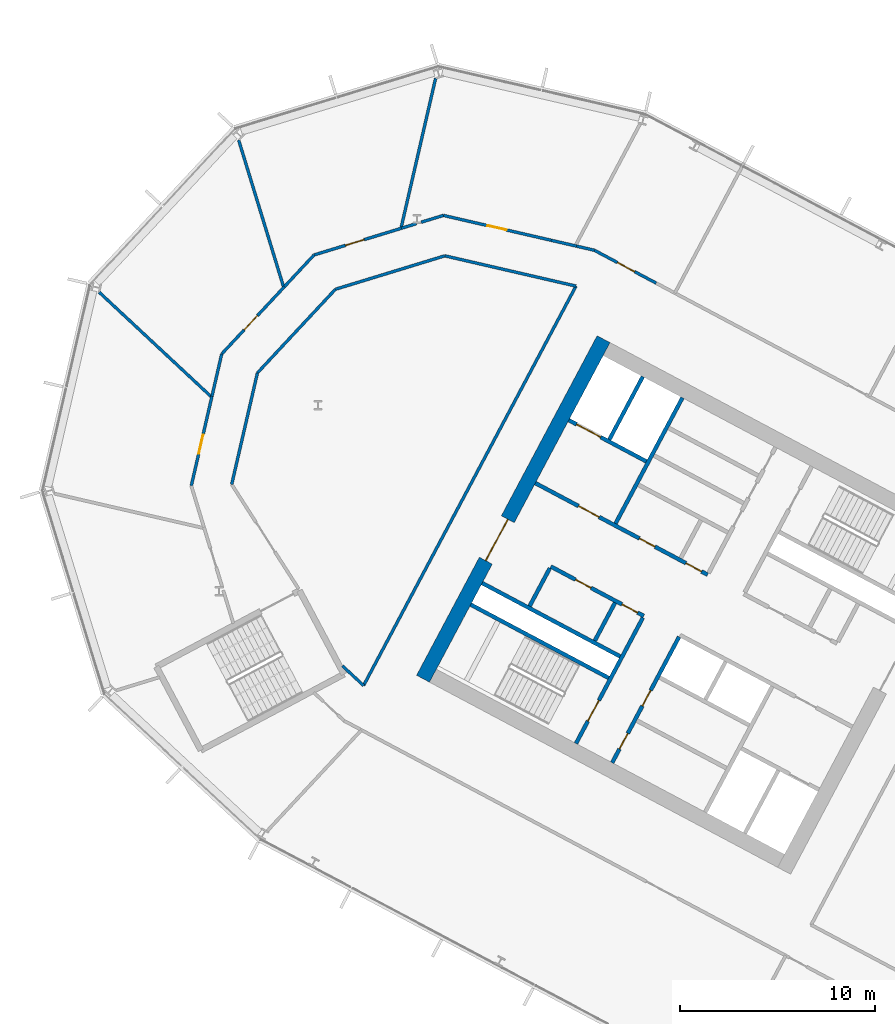
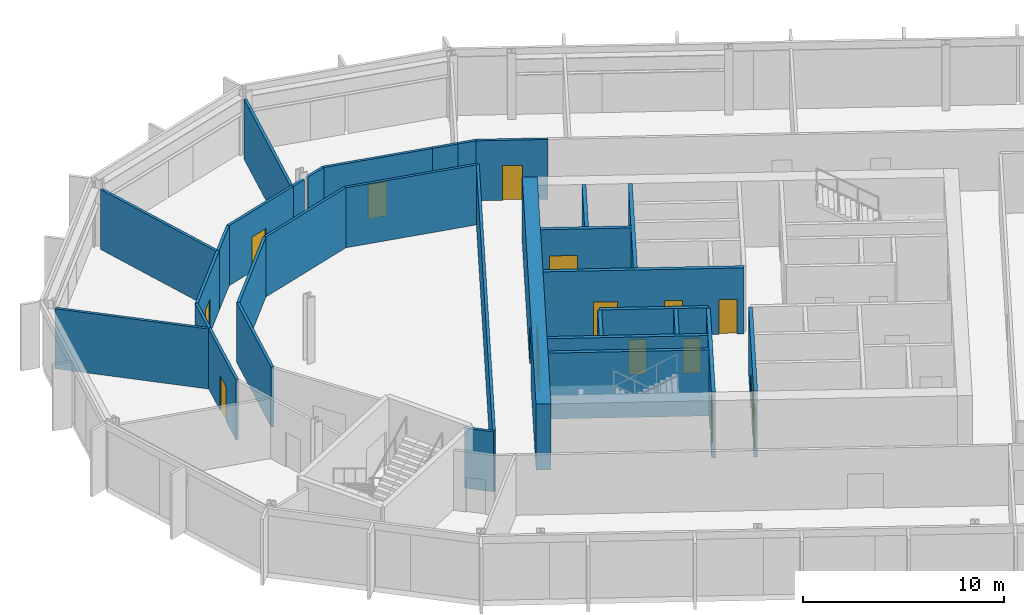
# One storey, part 14 of 28: 32 walls, 15 doors, 15 openings.
"""IFC4 building model written with IfcOpenShell, lengths in metres."""

from ifc_helpers import new_model, si_unit, direction, frame, frame_2d, origin, place, context, subcontext, project, spatial, rectangle, extrude, material, layer, layer_set, type_object, element, fill, save


model = new_model("IFC4")

# Units and contexts
model_context = context("Model", 3, precision=1e-05, world=origin(), true_north=direction((0.0, 1.0)))
body_context = subcontext(model_context, "Body", "Model", "MODEL_VIEW")
ifc_project = project(units=[si_unit("LENGTHUNIT", "METRE"), si_unit("AREAUNIT", "SQUARE_METRE"), si_unit("VOLUMEUNIT", "CUBIC_METRE"), si_unit("PLANEANGLEUNIT", "RADIAN"), si_unit("MASSUNIT", "GRAM", prefix="KILO")], contexts=[model_context])

# Site, building, storey
site_placement = place(None, origin())
site = spatial("IfcSite", under=ifc_project, at=site_placement, CompositionType="ELEMENT")
building_placement = place(site_placement, origin())
building = spatial("IfcBuilding", under=site, at=building_placement, Name="Cormorant Relay Tower", CompositionType="ELEMENT")
storey_placement = place(building_placement, frame((0.0, 0.0, 166.199951171875)))
storey = spatial("IfcBuildingStorey", under=building, at=storey_placement, Name="L35", CompositionType="ELEMENT", Elevation=166.199951171875)

# Wall
ifc_material_1 = material(Name="Concrete 40 MPa", Category="concrete")
ifc_layer_1 = layer(ifc_material_1, 0.199951171875)
ifc_layer_set_1 = layer_set([ifc_layer_1], Name="Core internal wall 200")
wall_type_1 = type_object("IfcWallType", Name="Core internal wall 200", PredefinedType="SOLIDWALL", material=ifc_layer_set_1)
wall_1_placement = place(storey_placement, frame((-31.41259765625, 14.663818359375, 0.0), z_axis=(0.0, 0.0, 1.0), x_axis=(-0.469533832133, -0.882914480843, 0.0)))
element("IfcWall", 1, at=wall_1_placement, inside=storey, type_object=wall_type_1, Name="L35 core A shaft and room wall", PredefinedType="SOLIDWALL", context=body_context, shape_type="SweptSolid", body=[
    extrude(rectangle(XDim=2.199951171875, YDim=0.199951171875, at=frame_2d((1.10009765625, 0.0))), origin(), (0.0, 0.0, 1.0), 4.0),
])

# Wall, openings, doors
ifc_material_2 = material(Name="Concrete 50 MPa", Category="concrete")
ifc_layer_2 = layer(ifc_material_2, 0.199951171875)
ifc_layer_set_2 = layer_set([ifc_layer_2], Name="Core shaft wall 200")
wall_type_2 = type_object("IfcWallType", Name="Core shaft wall 200", PredefinedType="SHEAR", material=ifc_layer_set_2)
wall_2_placement = place(storey_placement, frame((-28.128173828125, 12.91748046875, 0.0), z_axis=(0.0, 0.0, 1.0), x_axis=(-0.469454336211, -0.882956752176, 0.0)))
wall_2 = element("IfcWall", 2, at=wall_2_placement, inside=storey, type_object=wall_type_2, Name="L35 core A shaft wall", PredefinedType="SHEAR", context=body_context, shape_type="SweptSolid", body=[
    extrude(rectangle(XDim=7.300048828125, YDim=0.199951171875, at=frame_2d((3.64990234375, 0.0))), origin(), (0.0, 0.0, 1.0), 4.0),
])
opening_1_placement = place(wall_2_placement, frame((3.10009765625, 0.0, 0.0)))
opening_1 = element("IfcOpeningElement", 3, at=opening_1_placement, cuts=wall_2, Name="Opening CDD-210", PredefinedType="OPENING", context=body_context, shape_type="SweptSolid", body=[
    extrude(rectangle(XDim=0.89990234375, YDim=2.10009765625, at=frame_2d((0.449951171875, 1.050048828125))), frame((0.0, 0.10986328125, 0.0), z_axis=(0.0, -1.0, 0.0), x_axis=(1.0, 0.0, 0.0)), (0.0, 0.0, 1.0), 0.219970703125),
])
opening_2_placement = place(wall_2_placement, frame((5.60009765625, 0.0, 0.0)))
opening_2 = element("IfcOpeningElement", 4, at=opening_2_placement, cuts=wall_2, Name="Opening CDD-211", PredefinedType="OPENING", context=body_context, shape_type="SweptSolid", body=[
    extrude(rectangle(XDim=0.89990234375, YDim=2.10009765625, at=frame_2d((0.449951171875, 1.050048828125))), frame((0.0, 0.10986328125, 0.0), z_axis=(0.0, -1.0, 0.0), x_axis=(1.0, 0.0, 0.0)), (0.0, 0.0, 1.0), 0.219970703125),
])
ifc_material_3 = material(Name="Steel fire door", Category="steel")
door_type_1 = type_object("IfcDoorType", Name="Core room door 900x2100", OperationType="SINGLE_SWING_LEFT", PredefinedType="DOOR", material=ifc_material_3)
door_1_placement = place(opening_1_placement, origin())
door_1 = element("IfcDoor", 5, at=door_1_placement, inside=storey, type_object=door_type_1, Name="Core room door 900x2100", OperationType="SINGLE_SWING_LEFT", OverallHeight=2.10009765625, OverallWidth=0.89990234375, PredefinedType="DOOR", context=body_context, shape_type="SweptSolid", body=[
    extrude(rectangle(XDim=0.89990234375, YDim=2.10009765625, at=frame_2d((0.449951171875, 1.050048828125))), frame((0.0, 0.02490234375, 0.0), z_axis=(0.0, -1.0, 0.0), x_axis=(1.0, 0.0, 0.0)), (0.0, 0.0, 1.0), 0.050048828125),
])
fill(opening_1, door_1)
door_2_placement = place(opening_2_placement, origin())
door_2 = element("IfcDoor", 6, at=door_2_placement, inside=storey, type_object=door_type_1, Name="Core room door 900x2100", OperationType="SINGLE_SWING_LEFT", OverallHeight=2.10009765625, OverallWidth=0.89990234375, PredefinedType="DOOR", context=body_context, shape_type="SweptSolid", body=[
    extrude(rectangle(XDim=0.89990234375, YDim=2.10009765625, at=frame_2d((0.449951171875, 1.050048828125))), frame((0.0, 0.02490234375, 0.0), z_axis=(0.0, -1.0, 0.0), x_axis=(1.0, 0.0, 0.0)), (0.0, 0.0, 1.0), 0.050048828125),
])
fill(opening_2, door_2)

# Wall, opening, door
wall_3_placement = place(storey_placement, frame((-29.982421875, 13.9033203125, 0.0), z_axis=(0.0, 0.0, 1.0), x_axis=(-0.469454336211, -0.882956752176, 0.0)))
wall_3 = element("IfcWall", 7, at=wall_3_placement, inside=storey, type_object=wall_type_2, Name="L35 core A shaft wall", PredefinedType="SHEAR", context=body_context, shape_type="SweptSolid", body=[
    extrude(rectangle(XDim=7.300048828125, YDim=0.199951171875, at=frame_2d((3.64990234375, 0.0))), origin(), (0.0, 0.0, 1.0), 4.0),
])
opening_3_placement = place(wall_3_placement, frame((4.800048828125, 0.0, 0.0)))
opening_3 = element("IfcOpeningElement", 8, at=opening_3_placement, cuts=wall_3, Name="Opening CDB-035", PredefinedType="OPENING", context=body_context, shape_type="SweptSolid", body=[
    extrude(rectangle(XDim=1.199951171875, YDim=2.10009765625, at=frame_2d((0.60009765625, 1.050048828125))), frame((0.0, 0.10986328125, 0.0), z_axis=(0.0, -1.0, 0.0), x_axis=(1.0, 0.0, 0.0)), (0.0, 0.0, 1.0), 0.219970703125),
])
ifc_material_4 = material(Name="Steel fire door", Category="steel")
door_type_2 = type_object("IfcDoorType", Name="Core stair door 1200x2100", OperationType="SINGLE_SWING_LEFT", PredefinedType="DOOR", material=ifc_material_4)
door_3_placement = place(opening_3_placement, frame((1.199951171875, 0.0, 0.0), z_axis=(0.0, 0.0, 1.0), x_axis=(-1.0, 0.0, 0.0)))
door_3 = element("IfcDoor", 9, at=door_3_placement, inside=storey, type_object=door_type_2, Name="Core stair door 1200x2100", OperationType="SINGLE_SWING_RIGHT", OverallHeight=2.10009765625, OverallWidth=1.199951171875, PredefinedType="DOOR", context=body_context, shape_type="SweptSolid", body=[
    extrude(rectangle(XDim=1.199951171875, YDim=2.10009765625, at=frame_2d((0.60009765625, 1.050048828125))), frame((0.0, 0.02490234375, 0.0), z_axis=(0.0, -1.0, 0.0), x_axis=(1.0, 0.0, 0.0)), (0.0, 0.0, 1.0), 0.050048828125),
])
fill(opening_3, door_3)

# Walls
wall_4_placement = place(storey_placement, frame((-27.955322265625, 25.170654296875, 0.0), z_axis=(0.0, 0.0, 1.0), x_axis=(-0.469480409012, -0.88294288918, 0.0)))
element("IfcWall", 10, at=wall_4_placement, inside=storey, type_object=wall_type_2, Name="L35 core A shaft wall", PredefinedType="SHEAR", context=body_context, shape_type="SweptSolid", body=[
    extrude(rectangle(XDim=7.300048828125, YDim=0.199951171875, at=frame_2d((3.64990234375, 0.0))), origin(), (0.0, 0.0, 1.0), 4.0),
])
wall_5_placement = place(storey_placement, frame((-34.750244140625, 16.4384765625, 0.0), z_axis=(0.0, 0.0, 1.0), x_axis=(-0.469401318492, -0.882984938828, 0.0)))
element("IfcWall", 11, at=wall_5_placement, inside=storey, type_object=wall_type_2, Name="L35 core A shaft wall", PredefinedType="SHEAR", context=body_context, shape_type="SweptSolid", body=[
    extrude(rectangle(XDim=2.199951171875, YDim=0.199951171875, at=frame_2d((1.10009765625, 0.0))), origin(), (0.0, 0.0, 1.0), 4.0),
])
wall_6_placement = place(storey_placement, frame((-29.986083984375, 26.250244140625, 0.0), z_axis=(0.0, 0.0, 1.0), x_axis=(-0.469494272526, -0.882935517501, 0.0)))
element("IfcWall", 12, at=wall_6_placement, inside=storey, type_object=wall_type_2, Name="L35 core A shaft wall", PredefinedType="SHEAR", context=body_context, shape_type="SweptSolid", body=[
    extrude(rectangle(XDim=3.64990234375, YDim=0.199951171875, at=frame_2d((1.824951171875, 0.0))), origin(), (0.0, 0.0, 1.0), 4.0),
])

# Wall, opening, door
wall_7_placement = place(storey_placement, frame((-29.80419921875, 21.906494140625, 0.0), z_axis=(0.0, 0.0, 1.0), x_axis=(-0.882960433586, 0.469447412093, 0.0)))
wall_7 = element("IfcWall", 13, at=wall_7_placement, inside=storey, type_object=wall_type_2, Name="L35 core A shaft wall", PredefinedType="SHEAR", context=body_context, shape_type="SweptSolid", body=[
    extrude(rectangle(XDim=4.5, YDim=0.199951171875, at=frame_2d((2.25, 0.0))), origin(), (0.0, 0.0, 1.0), 4.0),
])
opening_4_placement = place(wall_7_placement, frame((2.64990234375, 0.0, 0.0)))
opening_4 = element("IfcOpeningElement", 14, at=opening_4_placement, cuts=wall_7, Name="Opening LD3-013", PredefinedType="OPENING", context=body_context, shape_type="SweptSolid", body=[
    extrude(rectangle(XDim=1.39990234375, YDim=2.39990234375, at=frame_2d((0.699951171875, 1.199951171875))), frame((0.0, 0.10986328125, 0.0), z_axis=(0.0, -1.0, 0.0), x_axis=(1.0, 0.0, 0.0)), (0.0, 0.0, 1.0), 0.219970703125),
])
ifc_material_5 = material(Name="Stainless steel 316", Category="steel")
door_type_3 = type_object("IfcDoorType", Name="Lift landing door 1400x2400", OperationType="DOUBLE_DOOR_SLIDING", PredefinedType="DOOR", material=ifc_material_5)
door_4_placement = place(opening_4_placement, origin())
door_4 = element("IfcDoor", 15, at=door_4_placement, inside=storey, type_object=door_type_3, Name="SV1 landing door", OperationType="DOUBLE_DOOR_SLIDING", OverallHeight=2.39990234375, OverallWidth=1.39990234375, PredefinedType="DOOR", context=body_context, shape_type="SweptSolid", body=[
    extrude(rectangle(XDim=1.39990234375, YDim=2.39990234375, at=frame_2d((0.699951171875, 1.199951171875))), frame((0.0, 0.02490234375, 0.0), z_axis=(0.0, -1.0, 0.0), x_axis=(1.0, 0.0, 0.0)), (0.0, 0.0, 1.0), 0.050048828125),
])
fill(opening_4, door_4)

# Wall, openings, doors
wall_8_placement = place(storey_placement, frame((-26.66162109375, 16.1015625, 0.0), z_axis=(0.0, 0.0, 1.0), x_axis=(-0.882940221191, 0.469485426614, 0.0)))
wall_8 = element("IfcWall", 16, at=wall_8_placement, inside=storey, type_object=wall_type_2, Name="L35 core A shaft wall", PredefinedType="SHEAR", context=body_context, shape_type="SweptSolid", body=[
    extrude(rectangle(XDim=10.0, YDim=0.199951171875, at=frame_2d((5.0, 0.0))), origin(), (0.0, 0.0, 1.0), 4.0),
])
opening_5_placement = place(wall_8_placement, frame((6.300048828125, 0.0, 0.0)))
opening_5 = element("IfcOpeningElement", 17, at=opening_5_placement, cuts=wall_8, Name="Opening CDC-026", PredefinedType="OPENING", context=body_context, shape_type="SweptSolid", body=[
    extrude(rectangle(XDim=1.199951171875, YDim=2.10009765625, at=frame_2d((0.60009765625, 1.050048828125))), frame((0.0, 0.10986328125, 0.0), z_axis=(0.0, -1.0, 0.0), x_axis=(1.0, 0.0, 0.0)), (0.0, 0.0, 1.0), 0.219970703125),
])
opening_6_placement = place(wall_8_placement, frame((0.360107421875, 0.0, 0.0)))
opening_6 = element("IfcOpeningElement", 18, at=opening_6_placement, cuts=wall_8, Name="Opening CDD-170", PredefinedType="OPENING", context=body_context, shape_type="SweptSolid", body=[
    extrude(rectangle(XDim=0.89990234375, YDim=2.10009765625, at=frame_2d((0.449951171875, 1.050048828125))), frame((0.0, 0.10986328125, 0.0), z_axis=(0.0, -1.0, 0.0), x_axis=(1.0, 0.0, 0.0)), (0.0, 0.0, 1.0), 0.219970703125),
])
opening_7_placement = place(wall_8_placement, frame((3.06005859375, 0.0, 0.0)))
opening_7 = element("IfcOpeningElement", 19, at=opening_7_placement, cuts=wall_8, Name="Opening CDD-171", PredefinedType="OPENING", context=body_context, shape_type="SweptSolid", body=[
    extrude(rectangle(XDim=0.89990234375, YDim=2.10009765625, at=frame_2d((0.449951171875, 1.050048828125))), frame((0.0, 0.10986328125, 0.0), z_axis=(0.0, -1.0, 0.0), x_axis=(1.0, 0.0, 0.0)), (0.0, 0.0, 1.0), 0.219970703125),
])
ifc_material_6 = material(Name="Steel fire door", Category="steel")
door_type_4 = type_object("IfcDoorType", Name="Core lobby door 1200x2100", OperationType="SINGLE_SWING_LEFT", PredefinedType="DOOR", material=ifc_material_6)
door_5_placement = place(opening_5_placement, origin())
door_5 = element("IfcDoor", 20, at=door_5_placement, inside=storey, type_object=door_type_4, Name="Core lobby door 1200x2100", OperationType="SINGLE_SWING_LEFT", OverallHeight=2.10009765625, OverallWidth=1.199951171875, PredefinedType="DOOR", context=body_context, shape_type="SweptSolid", body=[
    extrude(rectangle(XDim=1.199951171875, YDim=2.10009765625, at=frame_2d((0.60009765625, 1.050048828125))), frame((0.0, 0.02490234375, 0.0), z_axis=(0.0, -1.0, 0.0), x_axis=(1.0, 0.0, 0.0)), (0.0, 0.0, 1.0), 0.050048828125),
])
fill(opening_5, door_5)
door_6_placement = place(opening_6_placement, origin())
door_6 = element("IfcDoor", 21, at=door_6_placement, inside=storey, type_object=door_type_1, Name="Core room door 900x2100", OperationType="SINGLE_SWING_LEFT", OverallHeight=2.10009765625, OverallWidth=0.89990234375, PredefinedType="DOOR", context=body_context, shape_type="SweptSolid", body=[
    extrude(rectangle(XDim=0.89990234375, YDim=2.10009765625, at=frame_2d((0.449951171875, 1.050048828125))), frame((0.0, 0.02490234375, 0.0), z_axis=(0.0, -1.0, 0.0), x_axis=(1.0, 0.0, 0.0)), (0.0, 0.0, 1.0), 0.050048828125),
])
fill(opening_6, door_6)
door_7_placement = place(opening_7_placement, origin())
door_7 = element("IfcDoor", 22, at=door_7_placement, inside=storey, type_object=door_type_1, Name="Core room door 900x2100", OperationType="SINGLE_SWING_LEFT", OverallHeight=2.10009765625, OverallWidth=0.89990234375, PredefinedType="DOOR", context=body_context, shape_type="SweptSolid", body=[
    extrude(rectangle(XDim=0.89990234375, YDim=2.10009765625, at=frame_2d((0.449951171875, 1.050048828125))), frame((0.0, 0.02490234375, 0.0), z_axis=(0.0, -1.0, 0.0), x_axis=(1.0, 0.0, 0.0)), (0.0, 0.0, 1.0), 0.050048828125),
])
fill(opening_7, door_7)

wall_9_placement = place(storey_placement, frame((-29.935302734375, 13.991455078125, 0.0), z_axis=(0.0, 0.0, 1.0), x_axis=(-0.882952937579, 0.469461510692, 0.0)))
wall_9 = element("IfcWall", 23, at=wall_9_placement, inside=storey, type_object=wall_type_2, Name="L35 core A shaft wall", PredefinedType="SHEAR", context=body_context, shape_type="SweptSolid", body=[
    extrude(rectangle(XDim=5.400146484375, YDim=0.199951171875, at=frame_2d((2.7001953125, 0.0))), origin(), (0.0, 0.0, 1.0), 4.0),
])
opening_8_placement = place(wall_9_placement, frame((0.360107421875, 0.0, 0.0)))
opening_8 = element("IfcOpeningElement", 24, at=opening_8_placement, cuts=wall_9, Name="Opening CDD-166", PredefinedType="OPENING", context=body_context, shape_type="SweptSolid", body=[
    extrude(rectangle(XDim=0.89990234375, YDim=2.10009765625, at=frame_2d((0.449951171875, 1.050048828125))), frame((0.0, 0.10986328125, 0.0), z_axis=(0.0, -1.0, 0.0), x_axis=(1.0, 0.0, 0.0)), (0.0, 0.0, 1.0), 0.219970703125),
])
opening_9_placement = place(wall_9_placement, frame((3.06005859375, 0.0, 0.0)))
opening_9 = element("IfcOpeningElement", 25, at=opening_9_placement, cuts=wall_9, Name="Opening CDD-167", PredefinedType="OPENING", context=body_context, shape_type="SweptSolid", body=[
    extrude(rectangle(XDim=0.89990234375, YDim=2.10009765625, at=frame_2d((0.449951171875, 1.050048828125))), frame((0.0, 0.10986328125, 0.0), z_axis=(0.0, -1.0, 0.0), x_axis=(1.0, 0.0, 0.0)), (0.0, 0.0, 1.0), 0.219970703125),
])
door_8_placement = place(opening_8_placement, origin())
door_8 = element("IfcDoor", 26, at=door_8_placement, inside=storey, type_object=door_type_1, Name="Core room door 900x2100", OperationType="SINGLE_SWING_LEFT", OverallHeight=2.10009765625, OverallWidth=0.89990234375, PredefinedType="DOOR", context=body_context, shape_type="SweptSolid", body=[
    extrude(rectangle(XDim=0.89990234375, YDim=2.10009765625, at=frame_2d((0.449951171875, 1.050048828125))), frame((0.0, 0.02490234375, 0.0), z_axis=(0.0, -1.0, 0.0), x_axis=(1.0, 0.0, 0.0)), (0.0, 0.0, 1.0), 0.050048828125),
])
fill(opening_8, door_8)
door_9_placement = place(opening_9_placement, origin())
door_9 = element("IfcDoor", 27, at=door_9_placement, inside=storey, type_object=door_type_1, Name="Core room door 900x2100", OperationType="SINGLE_SWING_LEFT", OverallHeight=2.10009765625, OverallWidth=0.89990234375, PredefinedType="DOOR", context=body_context, shape_type="SweptSolid", body=[
    extrude(rectangle(XDim=0.89990234375, YDim=2.10009765625, at=frame_2d((0.449951171875, 1.050048828125))), frame((0.0, 0.02490234375, 0.0), z_axis=(0.0, -1.0, 0.0), x_axis=(1.0, 0.0, 0.0)), (0.0, 0.0, 1.0), 0.050048828125),
])
fill(opening_9, door_9)

# Walls
for number, where, z_axis, x_axis, name in (
    (28, (-31.150390625, 11.91943359375, 0.0), (0.0, 0.0, 1.0), (-0.882940221191, 0.469485426614, 0.0), "L35 core A shaft wall"),
    (29, (-31.7373046875, 10.815673828125, 0.0), (0.0, 0.0, 1.0), (-0.882940221191, 0.469485426614, 0.0), "L35 core A shaft wall"),
):
    element("IfcWall", number, at=place(storey_placement, frame(where, z_axis=z_axis, x_axis=x_axis)), inside=storey, type_object=wall_type_2, Name=name, PredefinedType="SHEAR", context=body_context, shape_type="SweptSolid", body=[
        extrude(rectangle(XDim=8.0, YDim=0.199951171875, at=frame_2d((4.0, 0.0))), origin(), (0.0, 0.0, 1.0), 4.0),
    ])

# Wall, opening, door
ifc_material_7 = material(Name="Concrete 60 MPa", Category="concrete")
ifc_layer_3 = layer(ifc_material_7, 0.75)
ifc_layer_set_3 = layer_set([ifc_layer_3], Name="Core wall 750")
wall_type_3 = type_object("IfcWallType", Name="Core wall 750", PredefinedType="SHEAR", material=ifc_layer_set_3)
wall_10_placement = place(storey_placement, frame((-31.995849609375, 28.16845703125, 0.0), z_axis=(0.0, 0.0, 1.0), x_axis=(-0.469479580143, -0.882943329908, 0.0)))
wall_10 = element("IfcWall", 30, at=wall_10_placement, inside=storey, type_object=wall_type_3, Name="L35 core A wall", PredefinedType="SHEAR", context=body_context, shape_type="SweptSolid", body=[
    extrude(rectangle(XDim=19.699951171875, YDim=0.75, at=frame_2d((9.85009765625, 0.0))), origin(), (0.0, 0.0, 1.0), 4.0),
])
opening_10_placement = place(wall_10_placement, frame((10.449951171875, 0.0, 0.0)))
opening_10 = element("IfcOpeningElement", 31, at=opening_10_placement, cuts=wall_10, Name="Opening CDA-027", PredefinedType="OPENING", context=body_context, shape_type="SweptSolid", body=[
    extrude(rectangle(XDim=2.39990234375, YDim=2.39990234375, at=frame_2d((1.199951171875, 1.199951171875))), frame((0.0, 0.385009765625, 0.0), z_axis=(0.0, -1.0, 0.0), x_axis=(1.0, 0.0, 0.0)), (0.0, 0.0, 1.0), 0.77001953125),
])
ifc_material_8 = material(Name="Steel fire door", Category="steel")
door_type_5 = type_object("IfcDoorType", Name="Core lobby door 2400x2400", OperationType="DOUBLE_DOOR_SINGLE_SWING", PredefinedType="DOOR", material=ifc_material_8)
door_10_placement = place(opening_10_placement, origin())
door_10 = element("IfcDoor", 32, at=door_10_placement, inside=storey, type_object=door_type_5, Name="Core lobby door 2400x2400", OperationType="DOUBLE_DOOR_SINGLE_SWING", OverallHeight=2.39990234375, OverallWidth=2.39990234375, PredefinedType="DOOR", context=body_context, shape_type="SweptSolid", body=[
    extrude(rectangle(XDim=2.39990234375, YDim=2.39990234375, at=frame_2d((1.199951171875, 1.199951171875))), frame((0.0, 0.02490234375, 0.0), z_axis=(0.0, -1.0, 0.0), x_axis=(1.0, 0.0, 0.0)), (0.0, 0.0, 1.0), 0.050048828125),
])
fill(opening_10, door_10)

ifc_material_9 = material(Name="Gypsum board fire partition")
ifc_layer_4 = layer(ifc_material_9, 0.14990234375)
ifc_layer_set_4 = layer_set([ifc_layer_4], Name="Corridor partition 150 EI 60")
wall_type_4 = type_object("IfcWallType", Name="Corridor partition 150 EI 60", PredefinedType="PARTITIONING", material=ifc_layer_set_4)
wall_11_placement = place(storey_placement, frame((-52.055908203125, 25.24609375, 0.0), z_axis=(0.0, 0.0, 1.0), x_axis=(-0.224961765576, -0.97436759184, 0.0)))
wall_11 = element("IfcWall", 33, at=wall_11_placement, inside=storey, type_object=wall_type_4, Name="wall/L35/part/004", PredefinedType="PARTITIONING", context=body_context, shape_type="SweptSolid", body=[
    extrude(rectangle(XDim=4.707763671875, YDim=0.14990234375, at=frame_2d((2.35400390625, 0.0))), origin(), (0.0, 0.0, 1.0), 3.64013671875),
])
opening_11_placement = place(wall_11_placement, frame((2.02392578125, 0.0, 0.0)))
opening_11 = element("IfcOpeningElement", 34, at=opening_11_placement, cuts=wall_11, Name="Opening DS-011", PredefinedType="OPENING", context=body_context, shape_type="SweptSolid", body=[
    extrude(rectangle(XDim=1.0, YDim=2.10009765625, at=frame_2d((0.5, 1.050048828125))), frame((0.0, 0.0849609375, 0.0), z_axis=(0.0, -1.0, 0.0), x_axis=(1.0, 0.0, 0.0)), (0.0, 0.0, 1.0), 0.169921875),
])
ifc_material_10 = material(Name="Timber door leaf", Category="wood")
door_type_6 = type_object("IfcDoorType", Name="Suite door 1000x2100", OperationType="SINGLE_SWING_LEFT", PredefinedType="DOOR", material=ifc_material_10)
door_11_placement = place(opening_11_placement, frame((1.0, 0.0, 0.0), z_axis=(0.0, 0.0, 1.0), x_axis=(-1.0, 0.0, 0.0)))
door_11 = element("IfcDoor", 35, at=door_11_placement, inside=storey, type_object=door_type_6, Name="door/L35/014", OperationType="SINGLE_SWING_RIGHT", OverallHeight=2.10009765625, OverallWidth=1.0, PredefinedType="DOOR", context=body_context, shape_type="SweptSolid", body=[
    extrude(rectangle(XDim=1.0, YDim=2.10009765625, at=frame_2d((0.5, 1.050048828125))), frame((0.0, 0.02490234375, 0.0), z_axis=(0.0, -1.0, 0.0), x_axis=(1.0, 0.0, 0.0)), (0.0, 0.0, 1.0), 0.050048828125),
])
fill(opening_11, door_11)

wall_12_placement = place(storey_placement, frame((-48.344970703125, 30.85595703125, 0.0), z_axis=(0.0, 0.0, 1.0), x_axis=(-0.682044743799, -0.731310445335, 0.0)))
wall_12 = element("IfcWall", 36, at=wall_12_placement, inside=storey, type_object=wall_type_4, Name="wall/L35/part/008", PredefinedType="PARTITIONING", context=body_context, shape_type="SweptSolid", body=[
    extrude(rectangle(XDim=4.707763671875, YDim=0.14990234375, at=frame_2d((2.35400390625, 0.0))), origin(), (0.0, 0.0, 1.0), 3.64013671875),
])
opening_12_placement = place(wall_12_placement, frame((2.02392578125, 0.0, 0.0)))
opening_12 = element("IfcOpeningElement", 37, at=opening_12_placement, cuts=wall_12, Name="Opening DS-010", PredefinedType="OPENING", context=body_context, shape_type="SweptSolid", body=[
    extrude(rectangle(XDim=1.0, YDim=2.10009765625, at=frame_2d((0.5, 1.050048828125))), frame((0.0, 0.0849609375, 0.0), z_axis=(0.0, -1.0, 0.0), x_axis=(1.0, 0.0, 0.0)), (0.0, 0.0, 1.0), 0.169921875),
])
door_12_placement = place(opening_12_placement, frame((1.0, 0.0, 0.0), z_axis=(0.0, 0.0, 1.0), x_axis=(-1.0, 0.0, 0.0)))
door_12 = element("IfcDoor", 38, at=door_12_placement, inside=storey, type_object=door_type_6, Name="door/L35/013", OperationType="SINGLE_SWING_RIGHT", OverallHeight=2.10009765625, OverallWidth=1.0, PredefinedType="DOOR", context=body_context, shape_type="SweptSolid", body=[
    extrude(rectangle(XDim=1.0, YDim=2.10009765625, at=frame_2d((0.5, 1.050048828125))), frame((0.0, 0.02490234375, 0.0), z_axis=(0.0, -1.0, 0.0), x_axis=(1.0, 0.0, 0.0)), (0.0, 0.0, 1.0), 0.050048828125),
])
fill(opening_12, door_12)

# Wall
wall_13_placement = place(storey_placement, frame((-51.555908203125, 27.4130859375, 0.0), z_axis=(0.0, 0.0, 1.0), x_axis=(-0.225019992363, -0.974354146621, 0.0)))
element("IfcWall", 39, at=wall_13_placement, inside=storey, type_object=wall_type_4, Name="wall/L35/part/009", PredefinedType="PARTITIONING", context=body_context, shape_type="SweptSolid", body=[
    extrude(rectangle(XDim=2.221923828125, YDim=0.14990234375, at=frame_2d((1.11083984375, 0.0))), origin(), (0.0, 0.0, 1.0), 3.64013671875),
])

# Wall, opening, door
wall_14_placement = place(storey_placement, frame((-42.325927734375, 33.85791015625, 0.0), z_axis=(0.0, 0.0, 1.0), x_axis=(-0.956351168554, -0.292219852858, 0.0)))
wall_14 = element("IfcWall", 40, at=wall_14_placement, inside=storey, type_object=wall_type_4, Name="wall/L35/part/013", PredefinedType="PARTITIONING", context=body_context, shape_type="SweptSolid", body=[
    extrude(rectangle(XDim=4.708740234375, YDim=0.14990234375, at=frame_2d((2.3544921875, 0.0))), origin(), (0.0, 0.0, 1.0), 3.64013671875),
])
opening_13_placement = place(wall_14_placement, frame((2.02490234375, 0.0, 0.0)))
opening_13 = element("IfcOpeningElement", 41, at=opening_13_placement, cuts=wall_14, Name="Opening DS-009", PredefinedType="OPENING", context=body_context, shape_type="SweptSolid", body=[
    extrude(rectangle(XDim=1.0, YDim=2.10009765625, at=frame_2d((0.5, 1.050048828125))), frame((0.0, 0.0849609375, 0.0), z_axis=(0.0, -1.0, 0.0), x_axis=(1.0, 0.0, 0.0)), (0.0, 0.0, 1.0), 0.169921875),
])
door_13_placement = place(opening_13_placement, frame((1.0, 0.0, 0.0), z_axis=(0.0, 0.0, 1.0), x_axis=(-1.0, 0.0, 0.0)))
door_13 = element("IfcDoor", 42, at=door_13_placement, inside=storey, type_object=door_type_6, Name="door/L35/012", OperationType="SINGLE_SWING_RIGHT", OverallHeight=2.10009765625, OverallWidth=1.0, PredefinedType="DOOR", context=body_context, shape_type="SweptSolid", body=[
    extrude(rectangle(XDim=1.0, YDim=2.10009765625, at=frame_2d((0.5, 1.050048828125))), frame((0.0, 0.02490234375, 0.0), z_axis=(0.0, -1.0, 0.0), x_axis=(1.0, 0.0, 0.0)), (0.0, 0.0, 1.0), 0.050048828125),
])
fill(opening_13, door_13)

# Walls
wall_15_placement = place(storey_placement, frame((-46.8291015625, 32.48193359375, 0.0), z_axis=(0.0, 0.0, 1.0), x_axis=(-0.681891349178, -0.731453476249, 0.0)))
element("IfcWall", 43, at=wall_15_placement, inside=storey, type_object=wall_type_4, Name="wall/L35/part/014", PredefinedType="PARTITIONING", context=body_context, shape_type="SweptSolid", body=[
    extrude(rectangle(XDim=2.2216796875, YDim=0.14990234375, at=frame_2d((1.11083984375, 0.0))), origin(), (0.0, 0.0, 1.0), 3.64013671875),
])
wall_16_placement = place(storey_placement, frame((-51.0458984375, 20.73095703125, 0.0), z_axis=(0.0, 0.0, 1.0), x_axis=(0.224889933684, 0.974384173582, 0.0)))
element("IfcWall", 44, at=wall_16_placement, inside=storey, type_object=wall_type_4, Name="wall/L35/part/016", PredefinedType="PARTITIONING", context=body_context, shape_type="SweptSolid", body=[
    extrude(rectangle(XDim=5.860107421875, YDim=0.14990234375, at=frame_2d((2.93017578125, 0.0))), origin(), (0.0, 0.0, 1.0), 3.64013671875),
])
wall_17_placement = place(storey_placement, frame((-49.72802734375, 26.44091796875, 0.0), z_axis=(0.0, 0.0, 1.0), x_axis=(0.682098526533, 0.731260282049, 0.0)))
element("IfcWall", 45, at=wall_17_placement, inside=storey, type_object=wall_type_4, Name="wall/L35/part/017", PredefinedType="PARTITIONING", context=body_context, shape_type="SweptSolid", body=[
    extrude(rectangle(XDim=5.85986328125, YDim=0.14990234375, at=frame_2d((2.929931640625, 0.0))), origin(), (0.0, 0.0, 1.0), 3.64013671875),
])
wall_18_placement = place(storey_placement, frame((-45.73095703125, 30.72607421875, 0.0), z_axis=(0.0, 0.0, 1.0), x_axis=(0.956310804041, 0.292351921619, 0.0)))
element("IfcWall", 46, at=wall_18_placement, inside=storey, type_object=wall_type_4, Name="wall/L35/part/018", PredefinedType="PARTITIONING", context=body_context, shape_type="SweptSolid", body=[
    extrude(rectangle(XDim=5.85888671875, YDim=0.14990234375, at=frame_2d((2.929443359375, 0.0))), origin(), (0.0, 0.0, 1.0), 3.64013671875),
])
wall_19_placement = place(storey_placement, frame((-40.1279296875, 32.43896484375, 0.0), z_axis=(0.0, 0.0, 1.0), x_axis=(0.97437567891, -0.224926735515, 0.0)))
element("IfcWall", 47, at=wall_19_placement, inside=storey, type_object=wall_type_4, Name="wall/L35/part/019", PredefinedType="PARTITIONING", context=body_context, shape_type="SweptSolid", body=[
    extrude(rectangle(XDim=6.895751953125, YDim=0.14990234375, at=frame_2d((3.44775390625, 0.0))), origin(), (0.0, 0.0, 1.0), 3.64013671875),
])
wall_20_placement = place(storey_placement, frame((-33.408935546875, 30.887939453125, 0.0), z_axis=(0.0, 0.0, 1.0), x_axis=(-0.469498189487, -0.882933434676, 0.0)))
element("IfcWall", 48, at=wall_20_placement, inside=storey, type_object=wall_type_4, Name="wall/L35/part/020", PredefinedType="PARTITIONING", context=body_context, shape_type="SweptSolid", body=[
    extrude(rectangle(XDim=23.176025390625, YDim=0.14990234375, at=frame_2d((11.587890625, 0.0))), origin(), (0.0, 0.0, 1.0), 3.64013671875),
])
wall_21_placement = place(storey_placement, frame((-44.2900390625, 10.425048828125, 0.0), z_axis=(0.0, 0.0, 1.0), x_axis=(-0.731652828982, 0.681677444135, 0.0)))
element("IfcWall", 49, at=wall_21_placement, inside=storey, type_object=wall_type_4, Name="wall/L35/part/021", PredefinedType="PARTITIONING", context=body_context, shape_type="SweptSolid", body=[
    extrude(rectangle(XDim=1.480224609375, YDim=0.14990234375, at=frame_2d((0.740234375, 0.0))), origin(), (0.0, 0.0, 1.0), 3.64013671875),
])

# Wall, opening, door
wall_22_placement = place(storey_placement, frame((-34.677001953125, 33.23388671875, 0.0), z_axis=(0.0, 0.0, 1.0), x_axis=(-0.974367234575, 0.224963312978, 0.0)))
wall_22 = element("IfcWall", 50, at=wall_22_placement, inside=storey, type_object=wall_type_4, Name="wall/L35/part/026", PredefinedType="PARTITIONING", context=body_context, shape_type="SweptSolid", body=[
    extrude(rectangle(XDim=5.668212890625, YDim=0.14990234375, at=frame_2d((2.833984375, 0.0))), origin(), (0.0, 0.0, 1.0), 3.64013671875),
])
opening_14_placement = place(wall_22_placement, frame((2.35009765625, 0.0, 0.0)))
opening_14 = element("IfcOpeningElement", 51, at=opening_14_placement, cuts=wall_22, Name="Opening DS-008", PredefinedType="OPENING", context=body_context, shape_type="SweptSolid", body=[
    extrude(rectangle(XDim=1.0, YDim=2.10009765625, at=frame_2d((0.5, 1.050048828125))), frame((0.0, 0.0849609375, 0.0), z_axis=(0.0, -1.0, 0.0), x_axis=(1.0, 0.0, 0.0)), (0.0, 0.0, 1.0), 0.169921875),
])
door_14_placement = place(opening_14_placement, frame((1.0, 0.0, 0.0), z_axis=(0.0, 0.0, 1.0), x_axis=(-1.0, 0.0, 0.0)))
door_14 = element("IfcDoor", 52, at=door_14_placement, inside=storey, type_object=door_type_6, Name="door/L35/011", OperationType="SINGLE_SWING_RIGHT", OverallHeight=2.10009765625, OverallWidth=1.0, PredefinedType="DOOR", context=body_context, shape_type="SweptSolid", body=[
    extrude(rectangle(XDim=1.0, YDim=2.10009765625, at=frame_2d((0.5, 1.050048828125))), frame((0.0, 0.02490234375, 0.0), z_axis=(0.0, -1.0, 0.0), x_axis=(1.0, 0.0, 0.0)), (0.0, 0.0, 1.0), 0.050048828125),
])
fill(opening_14, door_14)

# Walls
wall_23_placement = place(storey_placement, frame((-40.199951171875, 34.509033203125, 0.0), z_axis=(0.0, 0.0, 1.0), x_axis=(-0.956177669283, -0.29278706386, 0.0)))
element("IfcWall", 53, at=wall_23_placement, inside=storey, type_object=wall_type_4, Name="wall/L35/part/027", PredefinedType="PARTITIONING", context=body_context, shape_type="SweptSolid", body=[
    extrude(rectangle(XDim=1.18896484375, YDim=0.14990234375, at=frame_2d((0.594482421875, 0.0))), origin(), (0.0, 0.0, 1.0), 3.64013671875),
])
wall_24_placement = place(storey_placement, frame((-41.58203125, 34.0869140625, 0.0), z_axis=(0.0, 0.0, 1.0), x_axis=(-0.956187735772, -0.292754186919, 0.0)))
element("IfcWall", 54, at=wall_24_placement, inside=storey, type_object=wall_type_4, Name="wall/L35/part/028", PredefinedType="PARTITIONING", context=body_context, shape_type="SweptSolid", body=[
    extrude(rectangle(XDim=0.798828125, YDim=0.14990234375, at=frame_2d((0.3994140625, 0.0))), origin(), (0.0, 0.0, 1.0), 3.64013671875),
])
wall_25_placement = place(storey_placement, frame((-34.677001953125, 33.23388671875, 0.0), z_axis=(0.0, 0.0, 1.0), x_axis=(0.974313870049, -0.225194321931, 0.0)))
element("IfcWall", 55, at=wall_25_placement, inside=storey, type_object=wall_type_4, Name="wall/L35/part/029", PredefinedType="PARTITIONING", context=body_context, shape_type="SweptSolid", body=[
    extrude(rectangle(XDim=1.331298828125, YDim=0.14990234375, at=frame_2d((0.66552734375, 0.0))), origin(), (0.0, 0.0, 1.0), 3.64013671875),
])

# Wall, opening, door
wall_26_placement = place(storey_placement, frame((-29.302001953125, 31.0400390625, 0.0), z_axis=(0.0, 0.0, 1.0), x_axis=(-0.882988816549, 0.469394024087, 0.0)))
wall_26 = element("IfcWall", 56, at=wall_26_placement, inside=storey, type_object=wall_type_4, Name="wall/L35/part/031", PredefinedType="PARTITIONING", context=body_context, shape_type="SweptSolid", body=[
    extrude(rectangle(XDim=3.587890625, YDim=0.14990234375, at=frame_2d((1.7939453125, 0.0))), origin(), (0.0, 0.0, 1.0), 3.64013671875),
])
opening_15_placement = place(wall_26_placement, frame((1.25, 0.0, 0.0)))
opening_15 = element("IfcOpeningElement", 57, at=opening_15_placement, cuts=wall_26, Name="Opening DS-069", PredefinedType="OPENING", context=body_context, shape_type="SweptSolid", body=[
    extrude(rectangle(XDim=1.0, YDim=2.10009765625, at=frame_2d((0.5, 1.050048828125))), frame((0.0, 0.0849609375, 0.0), z_axis=(0.0, -1.0, 0.0), x_axis=(1.0, 0.0, 0.0)), (0.0, 0.0, 1.0), 0.169921875),
])
door_15_placement = place(opening_15_placement, frame((1.0, 0.0, 0.0), z_axis=(0.0, 0.0, 1.0), x_axis=(-1.0, 0.0, 0.0)))
door_15 = element("IfcDoor", 58, at=door_15_placement, inside=storey, type_object=door_type_6, Name="door/L35/010", OperationType="SINGLE_SWING_RIGHT", OverallHeight=2.10009765625, OverallWidth=1.0, PredefinedType="DOOR", context=body_context, shape_type="SweptSolid", body=[
    extrude(rectangle(XDim=1.0, YDim=2.10009765625, at=frame_2d((0.5, 1.050048828125))), frame((0.0, 0.02490234375, 0.0), z_axis=(0.0, -1.0, 0.0), x_axis=(1.0, 0.0, 0.0)), (0.0, 0.0, 1.0), 0.050048828125),
])
fill(opening_15, door_15)

# Walls
wall_27_placement = place(storey_placement, frame((-32.469970703125, 32.72412109375, 0.0), z_axis=(0.0, 0.0, 1.0), x_axis=(-0.974395601839, 0.224840412552, 0.0)))
element("IfcWall", 59, at=wall_27_placement, inside=storey, type_object=wall_type_4, Name="wall/L35/part/032", PredefinedType="PARTITIONING", context=body_context, shape_type="SweptSolid", body=[
    extrude(rectangle(XDim=0.933837890625, YDim=0.14990234375, at=frame_2d((0.466796875, 0.0))), origin(), (0.0, 0.0, 1.0), 3.64013671875),
])
ifc_material_11 = material(Name="Gypsum board partition")
ifc_layer_5 = layer(ifc_material_11, 0.14990234375)
ifc_layer_set_5 = layer_set([ifc_layer_5], Name="Tenant partition 150")
wall_type_5 = type_object("IfcWallType", Name="Tenant partition 150", PredefinedType="PARTITIONING", material=ifc_layer_set_5)
wall_28_placement = place(storey_placement, frame((-57.841064453125, 30.580078125, 0.0), z_axis=(0.0, 0.0, 1.0), x_axis=(0.731373012185, -0.681977651428, 0.0)))
element("IfcWall", 60, at=wall_28_placement, inside=storey, type_object=wall_type_5, Name="wall/L35/part/002", PredefinedType="PARTITIONING", context=body_context, shape_type="SweptSolid", body=[
    extrude(rectangle(XDim=7.893310546875, YDim=0.14990234375, at=frame_2d((3.94677734375, 0.0))), origin(), (0.0, 0.0, 1.0), 3.64013671875),
])
wall_29_placement = place(storey_placement, frame((-50.68798828125, 38.365966796875, 0.0), z_axis=(0.0, 0.0, 1.0), x_axis=(0.292463739097, -0.956276613388, 0.0)))
element("IfcWall", 61, at=wall_29_placement, inside=storey, type_object=wall_type_5, Name="wall/L35/part/010", PredefinedType="PARTITIONING", context=body_context, shape_type="SweptSolid", body=[
    extrude(rectangle(XDim=7.891845703125, YDim=0.14990234375, at=frame_2d((3.94580078125, 0.0))), origin(), (0.0, 0.0, 1.0), 3.64013671875),
])
wall_30_placement = place(storey_placement, frame((-40.59912109375, 41.533935546875, 0.0), z_axis=(0.0, 0.0, 1.0), x_axis=(-0.225013130649, -0.974355731258, 0.0)))
element("IfcWall", 62, at=wall_30_placement, inside=storey, type_object=wall_type_5, Name="wall/L35/part/025", PredefinedType="PARTITIONING", context=body_context, shape_type="SweptSolid", body=[
    extrude(rectangle(XDim=7.892333984375, YDim=0.14990234375, at=frame_2d((3.9462890625, 0.0))), origin(), (0.0, 0.0, 1.0), 3.64013671875),
])

save(model, "model.ifc")
